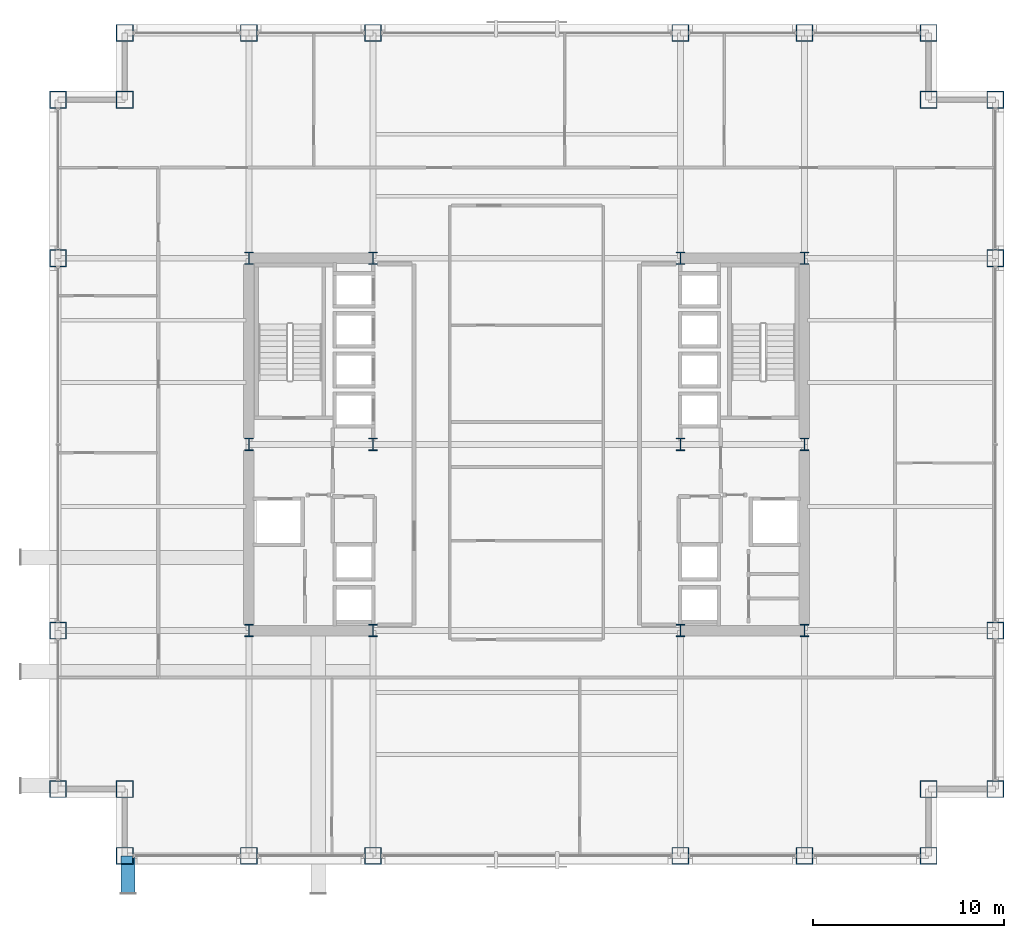
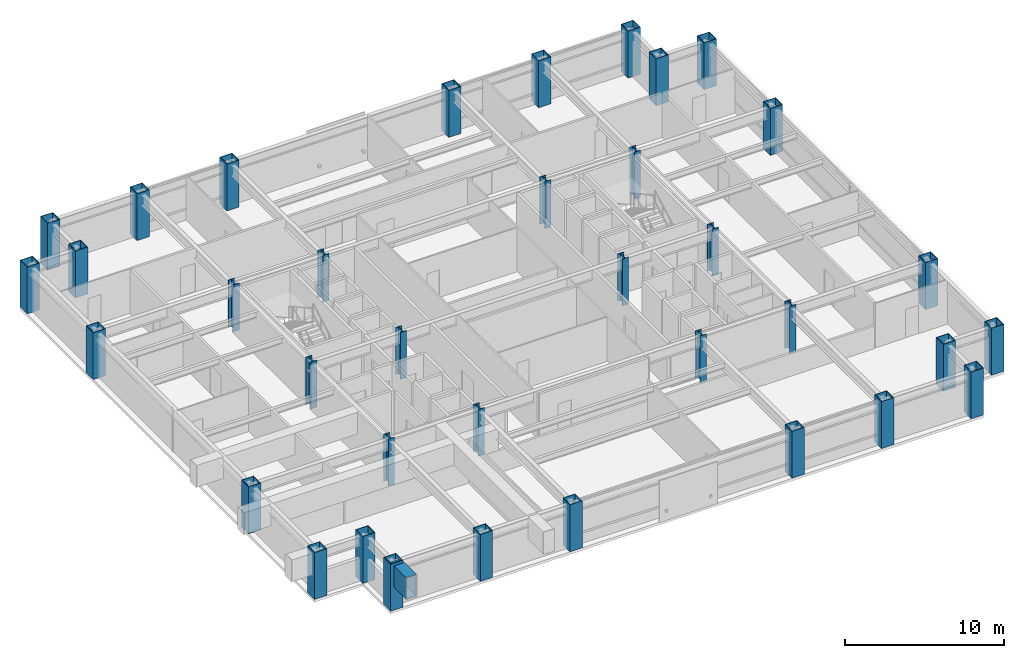
# One storey, part 1 of 29: 36 columns, 1 beam.
"""IFC4 building model written with IfcOpenShell, lengths in metres."""

import ifcopenshell
import ifcopenshell.guid

model = None  # the IFC model being written
_history = None  # IfcOwnerHistory: only IFC2X3 demands one
_inside = {}  # id of a spatial element -> (the spatial element, [elements in it])
_under = {}  # id of a project, library or spatial element -> (it, [spatial elements below it])
_declared = {}  # id of a project -> (the project, [libraries it declares])
_typed = {}  # id of a type object -> (the type object, [elements of that type])
_made_of = {}  # id of a material, layer set ... -> (it, [elements and type objects made of it])


def new_model(schema):
    """Start an empty IFC model of exactly this schema.

    Asked for "IFC4X3", IfcOpenShell would pick the latest addendum, in which some entities
    have other attributes; the version numbers below select the first issue.
    IFC2X3 requires an IfcOwnerHistory on every rooted entity: one is made here for all.
    """
    global model, _history
    if schema == "IFC4X3":
        model = ifcopenshell.file(schema_version=(4, 3, 0, 0))
    else:
        model = ifcopenshell.file(schema=schema)
    _inside.clear()
    _under.clear()
    _declared.clear()
    _typed.clear()
    _made_of.clear()
    _history = None
    if model.schema == "IFC2X3":
        org = make("IfcOrganization", Name="unknown")
        user = make(
            "IfcPersonAndOrganization",
            ThePerson=make("IfcPerson", FamilyName="unknown"),
            TheOrganization=org,
        )
        app = make(
            "IfcApplication",
            ApplicationDeveloper=org,
            Version="unknown",
            ApplicationFullName="unknown",
            ApplicationIdentifier="unknown",
        )
        _history = make(
            "IfcOwnerHistory",
            OwningUser=user,
            OwningApplication=app,
            ChangeAction="ADDED",
            CreationDate=0,
        )
    return model


def make(cls, **values):
    """One entity of the class cls with the attributes given. An attribute that is None is left unset."""
    return model.create_entity(
        cls, **{name: value for name, value in values.items() if value is not None}
    )


def rooted(cls, **values):
    """An entity with a GlobalId (a new one), such as an element, a storey or a relation."""
    return make(cls, GlobalId=ifcopenshell.guid.new(), OwnerHistory=_history, **values)


def si_unit(unit_type, name, prefix=None):
    """IfcSIUnit, for example si_unit("LENGTHUNIT", "METRE", prefix="MILLI")."""
    return make("IfcSIUnit", UnitType=unit_type, Prefix=prefix, Name=name)


def assignment(units):
    """IfcUnitAssignment: the units of a project."""
    return None if units is None else make("IfcUnitAssignment", Units=units)


def point(xyz):
    """IfcCartesianPoint."""
    return None if xyz is None else make("IfcCartesianPoint", Coordinates=xyz)


def direction(xyz):
    """IfcDirection."""
    return None if xyz is None else make("IfcDirection", DirectionRatios=xyz)


def frame(location, z_axis=None, x_axis=None):
    """IfcAxis2Placement3D, a coordinate frame: its origin and axes. An axis left out is left unset."""
    return make(
        "IfcAxis2Placement3D",
        Location=point(location),
        Axis=direction(z_axis),
        RefDirection=direction(x_axis),
    )


def frame_2d(location, x_axis=None):
    """IfcAxis2Placement2D, a coordinate frame in the plane: its origin and x axis."""
    return make(
        "IfcAxis2Placement2D", Location=point(location), RefDirection=direction(x_axis)
    )


def origin():
    """The frame at (0, 0, 0) with its axes left unset."""
    return frame((0.0, 0.0, 0.0))


def origin_2d():
    """The frame at (0, 0) in the plane with its x axis left unset."""
    return frame_2d((0.0, 0.0))


def place(relative_to, where):
    """IfcLocalPlacement: puts the frame where relative to a parent placement (None: the world)."""
    return make(
        "IfcLocalPlacement", PlacementRelTo=relative_to, RelativePlacement=where
    )


def context(
    kind, dimensions, precision=None, world=None, true_north=None, identifier=None
):
    """IfcGeometricRepresentationContext, for example the 3D "Model" context."""
    return make(
        "IfcGeometricRepresentationContext",
        ContextIdentifier=identifier,
        ContextType=kind,
        CoordinateSpaceDimension=dimensions,
        Precision=precision,
        WorldCoordinateSystem=world,
        TrueNorth=true_north,
    )


def subcontext(parent, identifier, kind, view, scale=None):
    """IfcGeometricRepresentationSubContext, for example "Body" below "Model"."""
    return make(
        "IfcGeometricRepresentationSubContext",
        ContextIdentifier=identifier,
        ContextType=kind,
        ParentContext=parent,
        TargetScale=scale,
        TargetView=view,
    )


def project(units=None, contexts=None):
    """IfcProject with its units and contexts."""
    return rooted(
        "IfcProject",
        Name="project",
        RepresentationContexts=contexts,
        UnitsInContext=assignment(units),
    )


def spatial(cls, under=None, at=None, **own):
    """A site, building, storey or space (cls), placed at a placement, below another one or the project."""
    s = rooted(cls, ObjectPlacement=at, **own)
    if under is not None:
        _under.setdefault(under.id(), (under, []))[1].append(s)
    return s


def profile(cls, at=None, kind="AREA", **sizes):
    """A parametric profile (cls). Its sizes go by their IFC names, for example OverallWidth=200.0."""
    return make(cls, ProfileType=kind, Position=at, **sizes)


def hollow_rectangle(**sizes):
    """IfcRectangleHollowProfileDef."""
    return profile("IfcRectangleHollowProfileDef", **sizes)


def i_section(**sizes):
    """IfcIShapeProfileDef."""
    return profile("IfcIShapeProfileDef", **sizes)


def extrude(swept, where, along, depth):
    """IfcExtrudedAreaSolid: the profile swept, set in the frame where, extruded along a direction by depth."""
    return make(
        "IfcExtrudedAreaSolid",
        SweptArea=swept,
        Position=where,
        ExtrudedDirection=direction(along),
        Depth=depth,
    )


def shape(context_of_items, identifier, shape_type, items):
    """IfcShapeRepresentation: the items that make up one representation, for example the "Body"."""
    return make(
        "IfcShapeRepresentation",
        ContextOfItems=context_of_items,
        RepresentationIdentifier=identifier,
        RepresentationType=shape_type,
        Items=items,
    )


def material(Name=None, Category=None):
    """IfcMaterial."""
    return make("IfcMaterial", Name=Name, Category=Category)


def material_profile(
    of_material, cross_section, Name=None, Category=None, Priority=None
):
    """IfcMaterialProfile: a cross section and its material."""
    return make(
        "IfcMaterialProfile",
        Name=Name,
        Material=of_material,
        Profile=cross_section,
        Priority=Priority,
        Category=Category,
    )


def profile_set(profiles, Name=None, composite=None):
    """IfcMaterialProfileSet."""
    return make(
        "IfcMaterialProfileSet",
        Name=Name,
        MaterialProfiles=profiles,
        CompositeProfile=composite,
    )


def made_of(thing, what):
    """Note that an element or type object is made of a material, layer set ...; save() writes the relation."""
    if what is not None:
        _made_of.setdefault(what.id(), (what, []))[1].append(thing)
    return thing


def type_object(cls, material=None, **own):
    """A type object (cls), such as IfcWallType, which elements share."""
    return made_of(rooted(cls, **own), material)


def element(
    cls,
    number,
    at=None,
    inside=None,
    cuts=None,
    type_object=None,
    material=None,
    context=None,
    identifier="Body",
    shape_type=None,
    held_by="IfcProductDefinitionShape",
    body=None,
    shapes=None,
    **own,
):
    """One element of the class cls, such as IfcWall. Its Tag is "e" and its number.

    at: its placement. inside: the storey or other place that contains it. cuts: it is an
    opening in that element (IfcRelVoidsElement). A single representation is given by context,
    identifier, shape_type and body (its items); several are given by shapes. held_by: the class
    of the entity that holds the representations. save() writes the other relations.
    """
    e = rooted(cls, Tag="e%d" % number, ObjectPlacement=at, **own)
    if body is not None:
        shapes = [shape(context, identifier, shape_type, body)]
    if shapes is not None:
        e.Representation = make(held_by, Representations=shapes)
    if inside is not None:
        _inside.setdefault(inside.id(), (inside, []))[1].append(e)
    if cuts is not None:
        rooted(
            "IfcRelVoidsElement", RelatingBuildingElement=cuts, RelatedOpeningElement=e
        )
    if type_object is not None:
        _typed.setdefault(type_object.id(), (type_object, []))[1].append(e)
    return made_of(e, material)


def aggregate(whole, parts):
    """IfcRelAggregates: a whole, such as a stair, and the parts it consists of."""
    return rooted("IfcRelAggregates", RelatingObject=whole, RelatedObjects=parts)


def save(model, path):
    """Write the relations noted so far, then the file.

    IfcRelAggregates (storeys below a building ...), IfcRelContainedInSpatialStructure (elements
    in a storey), IfcRelDefinesByType, IfcRelAssociatesMaterial and IfcRelDeclares: one each for
    every whole, place, type object, material and project.
    """
    for whole, parts in _under.values():
        aggregate(whole, parts)
    for where, things in _inside.values():
        rooted(
            "IfcRelContainedInSpatialStructure",
            RelatedElements=things,
            RelatingStructure=where,
        )
    for kind, things in _typed.values():
        rooted("IfcRelDefinesByType", RelatedObjects=things, RelatingType=kind)
    for what, things in _made_of.values():
        rooted("IfcRelAssociatesMaterial", RelatedObjects=things, RelatingMaterial=what)
    for by, libraries in _declared.values():
        rooted("IfcRelDeclares", RelatingContext=by, RelatedDefinitions=libraries)
    model.write(path)


model = new_model("IFC4")

# Units and contexts
model_context = context("Model", 3, precision=1e-05, world=origin(), true_north=direction((0.0, 1.0)))
body_context = subcontext(model_context, "Body", "Model", "MODEL_VIEW")
ifc_project = project(units=[si_unit("LENGTHUNIT", "METRE"), si_unit("AREAUNIT", "SQUARE_METRE"), si_unit("VOLUMEUNIT", "CUBIC_METRE"), si_unit("PLANEANGLEUNIT", "RADIAN"), si_unit("MASSUNIT", "GRAM", prefix="KILO")], contexts=[model_context])

# Site, building, storey
site_placement = place(None, origin())
site = spatial("IfcSite", under=ifc_project, at=site_placement, CompositionType="ELEMENT")
building_placement = place(site_placement, origin())
building = spatial("IfcBuilding", under=site, at=building_placement, Name="Brelmoor Portico Tower", CompositionType="ELEMENT")
storey_placement = place(building_placement, frame((0.0, 0.0, 52.800048828125)))
storey = spatial("IfcBuildingStorey", under=building, at=storey_placement, Name="L13", CompositionType="ELEMENT", Elevation=52.800048828125)

# Columns
ifc_material = material(Name="Steel Q355B", Category="steel")
ifc_material_profile_1 = material_profile(ifc_material, hollow_rectangle(XDim=0.89990234375, YDim=0.89990234375, WallThickness=0.044921875, at=origin_2d()), Name="BOX 900x900x45")
ifc_profile_set_1 = profile_set([ifc_material_profile_1], Name="Steel Q355B")
column_type_1 = type_object("IfcColumnType", Name="COL-MEGA-900", PredefinedType="COLUMN", material=ifc_profile_set_1)
for number, where, z_axis, x_axis, name in (
    (1, (-21.050048828125, -21.550048828125, 0.0), (0.0, 0.0, 1.0), (1.0, 0.0, 0.0), "L13 Perimeter Mega-Column PS01"),
    (2, (-14.550048828125, -21.550048828125, 0.0), (0.0, 0.0, 1.0), (1.0, 0.0, 0.0), "L13 Perimeter Mega-Column PS02"),
    (3, (-8.050048828125, -21.550048828125, 0.0), (0.0, 0.0, 1.0), (1.0, 0.0, 0.0), "L13 Perimeter Mega-Column PS03"),
    (4, (8.050048828125, -21.550048828125, 0.0), (0.0, 0.0, 1.0), (1.0, 0.0, 0.0), "L13 Perimeter Mega-Column PS04"),
    (5, (14.550048828125, -21.550048828125, 0.0), (0.0, 0.0, 1.0), (1.0, 0.0, 0.0), "L13 Perimeter Mega-Column PS05"),
    (6, (21.050048828125, -21.550048828125, 0.0), (0.0, 0.0, 1.0), (1.0, 0.0, 0.0), "L13 Perimeter Mega-Column PS06"),
    (7, (-21.050048828125, 21.550048828125, 0.0), (0.0, 0.0, 1.0), (1.0, 0.0, 0.0), "L13 Perimeter Mega-Column PN01"),
    (8, (-14.550048828125, 21.550048828125, 0.0), (0.0, 0.0, 1.0), (1.0, 0.0, 0.0), "L13 Perimeter Mega-Column PN02"),
    (9, (-8.050048828125, 21.550048828125, 0.0), (0.0, 0.0, 1.0), (1.0, 0.0, 0.0), "L13 Perimeter Mega-Column PN03"),
    (10, (8.050048828125, 21.550048828125, 0.0), (0.0, 0.0, 1.0), (1.0, 0.0, 0.0), "L13 Perimeter Mega-Column PN04"),
    (11, (14.550048828125, 21.550048828125, 0.0), (0.0, 0.0, 1.0), (1.0, 0.0, 0.0), "L13 Perimeter Mega-Column PN05"),
    (12, (21.050048828125, 21.550048828125, 0.0), (0.0, 0.0, 1.0), (1.0, 0.0, 0.0), "L13 Perimeter Mega-Column PN06"),
    (13, (-24.550048828125, -18.050048828125, 0.0), (0.0, 0.0, 1.0), (0.0, 1.0, 0.0), "L13 Perimeter Mega-Column PW01"),
    (14, (-24.550048828125, -9.75, 0.0), (0.0, 0.0, 1.0), (0.0, 1.0, 0.0), "L13 Perimeter Mega-Column PW02"),
    (15, (-24.550048828125, 9.75, 0.0), (0.0, 0.0, 1.0), (0.0, 1.0, 0.0), "L13 Perimeter Mega-Column PW03"),
    (16, (-24.550048828125, 18.050048828125, 0.0), (0.0, 0.0, 1.0), (0.0, 1.0, 0.0), "L13 Perimeter Mega-Column PW04"),
    (17, (24.550048828125, -18.050048828125, 0.0), (0.0, 0.0, 1.0), (0.0, 1.0, 0.0), "L13 Perimeter Mega-Column PE01"),
    (18, (24.550048828125, -9.75, 0.0), (0.0, 0.0, 1.0), (0.0, 1.0, 0.0), "L13 Perimeter Mega-Column PE02"),
    (19, (24.550048828125, 9.75, 0.0), (0.0, 0.0, 1.0), (0.0, 1.0, 0.0), "L13 Perimeter Mega-Column PE03"),
    (20, (24.550048828125, 18.050048828125, 0.0), (0.0, 0.0, 1.0), (0.0, 1.0, 0.0), "L13 Perimeter Mega-Column PE04"),
    (21, (-21.050048828125, 18.050048828125, 0.0), (0.0, 0.0, 1.0), (1.0, 0.0, 0.0), "L13 Perimeter Mega-Column PC-NW"),
    (22, (21.050048828125, 18.050048828125, 0.0), (0.0, 0.0, 1.0), (1.0, 0.0, 0.0), "L13 Perimeter Mega-Column PC-NE"),
    (23, (21.050048828125, -18.050048828125, 0.0), (0.0, 0.0, 1.0), (1.0, 0.0, 0.0), "L13 Perimeter Mega-Column PC-SE"),
    (24, (-21.050048828125, -18.050048828125, 0.0), (0.0, 0.0, 1.0), (1.0, 0.0, 0.0), "L13 Perimeter Mega-Column PC-SW"),
):
    element("IfcColumn", number, at=place(storey_placement, frame(where, z_axis=z_axis, x_axis=x_axis)), inside=storey, type_object=column_type_1, Name=name, PredefinedType="COLUMN", context=body_context, shape_type="SweptSolid", body=[
        extrude(hollow_rectangle(XDim=0.89990234375, YDim=0.89990234375, WallThickness=0.044921875, at=origin_2d()), origin(), (0.0, 0.0, 1.0), 3.599853515625),
    ])
ifc_material_profile_2 = material_profile(ifc_material, i_section(OverallWidth=0.449951171875, OverallDepth=0.64990234375, WebThickness=0.02490234375, FlangeThickness=0.0400390625, at=origin_2d()), Name="HW 650x450x25x40")
ifc_profile_set_2 = profile_set([ifc_material_profile_2], Name="Steel Q355B")
column_type_2 = type_object("IfcColumnType", Name="COL-SPINE-650", PredefinedType="COLUMN", material=ifc_profile_set_2)
for number, where, z_axis, x_axis, name in (
    (25, (-14.550048828125, -9.75, 0.0), (0.0, 0.0, 1.0), (1.0, 0.0, 0.0), "L13 Core Spine Column CW-SW"),
    (26, (-14.550048828125, 0.0, 0.0), (0.0, 0.0, 1.0), (1.0, 0.0, 0.0), "L13 Core Spine Column CW-MW"),
    (27, (-14.550048828125, 9.75, 0.0), (0.0, 0.0, 1.0), (1.0, 0.0, 0.0), "L13 Core Spine Column CW-NW"),
    (28, (-8.050048828125, -9.75, 0.0), (0.0, 0.0, 1.0), (1.0, 0.0, 0.0), "L13 Core Spine Column CW-SE"),
    (29, (-8.050048828125, 0.0, 0.0), (0.0, 0.0, 1.0), (1.0, 0.0, 0.0), "L13 Core Spine Column CW-ME"),
    (30, (-8.050048828125, 9.75, 0.0), (0.0, 0.0, 1.0), (1.0, 0.0, 0.0), "L13 Core Spine Column CW-NE"),
    (31, (8.050048828125, -9.75, 0.0), (0.0, 0.0, 1.0), (1.0, 0.0, 0.0), "L13 Core Spine Column CE-SW"),
    (32, (8.050048828125, 0.0, 0.0), (0.0, 0.0, 1.0), (1.0, 0.0, 0.0), "L13 Core Spine Column CE-MW"),
    (33, (8.050048828125, 9.75, 0.0), (0.0, 0.0, 1.0), (1.0, 0.0, 0.0), "L13 Core Spine Column CE-NW"),
    (34, (14.550048828125, -9.75, 0.0), (0.0, 0.0, 1.0), (1.0, 0.0, 0.0), "L13 Core Spine Column CE-SE"),
    (35, (14.550048828125, 0.0, 0.0), (0.0, 0.0, 1.0), (1.0, 0.0, 0.0), "L13 Core Spine Column CE-ME"),
    (36, (14.550048828125, 9.75, 0.0), (0.0, 0.0, 1.0), (1.0, 0.0, 0.0), "L13 Core Spine Column CE-NE"),
):
    element("IfcColumn", number, at=place(storey_placement, frame(where, z_axis=z_axis, x_axis=x_axis)), inside=storey, type_object=column_type_2, Name=name, PredefinedType="COLUMN", context=body_context, shape_type="SweptSolid", body=[
        extrude(i_section(OverallWidth=0.449951171875, OverallDepth=0.64990234375, WebThickness=0.02490234375, FlangeThickness=0.0400390625, at=origin_2d()), origin(), (0.0, 0.0, 1.0), 3.599853515625),
    ])

# Beam
ifc_material_profile_3 = material_profile(ifc_material, hollow_rectangle(XDim=0.75, YDim=1.659912109375, WallThickness=0.0419921875, at=origin_2d()), Name="BOX 750x1660x42")
ifc_profile_set_3 = profile_set([ifc_material_profile_3], Name="Steel Q355B")
beam_type = type_object("IfcBeamType", Name="BM-PF-CANT", PredefinedType="BEAM", material=ifc_profile_set_3)
beam_placement = place(storey_placement, frame((-20.8798828125, -23.5, 2.570068359375), z_axis=(0.0, 1.0, 0.0), x_axis=(-1.0, 0.0, 0.0)))
element("IfcBeam", 37, at=beam_placement, inside=storey, type_object=beam_type, Name="L13 Picture-Frame Outrigger Transfer Cantilever PFB-04", PredefinedType="BEAM", context=body_context, shape_type="SweptSolid", body=[
    extrude(hollow_rectangle(XDim=0.75, YDim=1.659912109375, WallThickness=0.0419921875, at=origin_2d()), origin(), (0.0, 0.0, 1.0), 1.949951171875),
])

save(model, "model.ifc")
